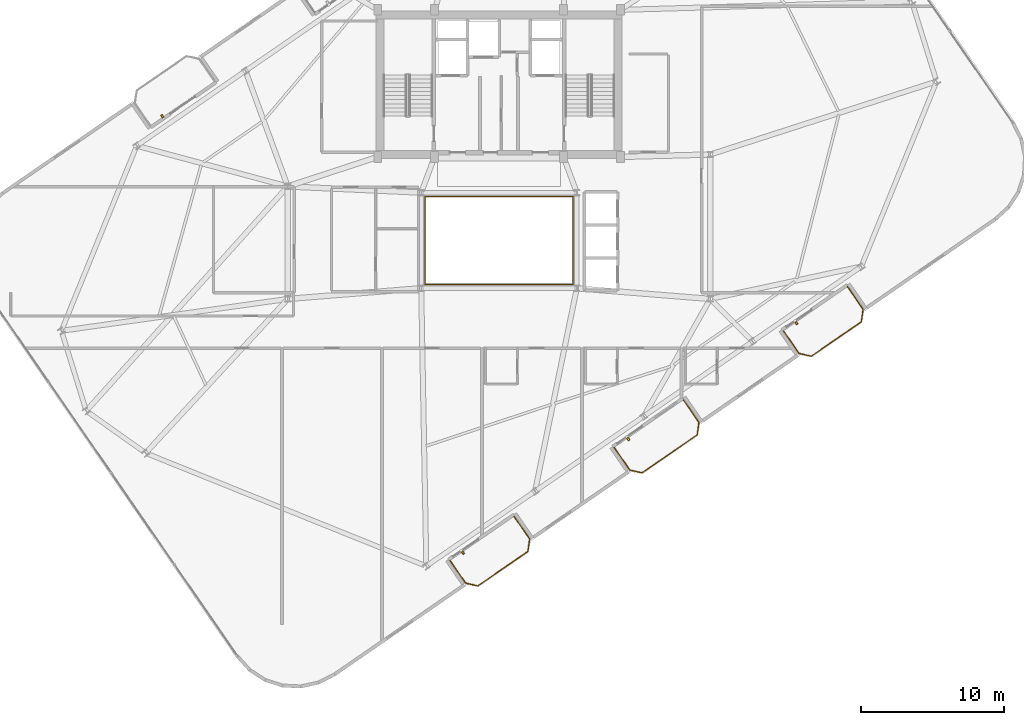
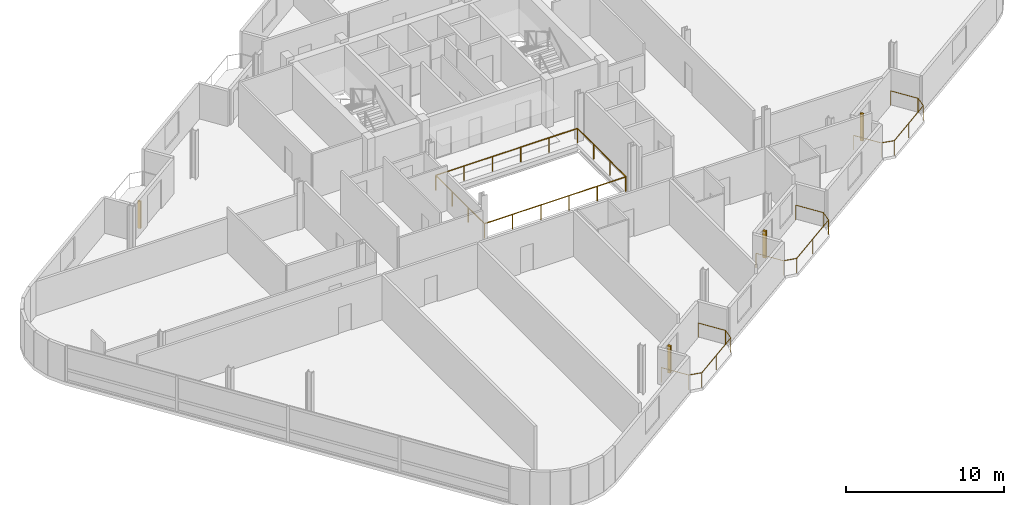
# One storey, part 19 of 21: 5 railings, 4 shading devices.
"""IFC4 building model written with IfcOpenShell, lengths in metres."""

from ifc_helpers import new_model, si_unit, direction, frame, origin, origin_2d, place, context, subcontext, project, spatial, rectangle, circle, extrude, source, transform, mapped, material, type_object, element, save


model = new_model("IFC4")

# Units and contexts
model_context = context("Model", 3, precision=1e-05, world=origin(), true_north=direction((0.0, 1.0)))
body_context = subcontext(model_context, "Body", "Model", "MODEL_VIEW")
ifc_project = project(units=[si_unit("LENGTHUNIT", "METRE"), si_unit("AREAUNIT", "SQUARE_METRE"), si_unit("VOLUMEUNIT", "CUBIC_METRE"), si_unit("PLANEANGLEUNIT", "RADIAN"), si_unit("MASSUNIT", "GRAM", prefix="KILO")], contexts=[model_context])

# Site, building, storey
site_placement = place(None, origin())
site = spatial("IfcSite", under=ifc_project, at=site_placement, CompositionType="ELEMENT")
building_placement = place(site_placement, origin())
building = spatial("IfcBuilding", under=site, at=building_placement, Name="Varnelok Gate Tower", CompositionType="ELEMENT")
storey_placement = place(building_placement, frame((0.0, 0.0, 261.89990234375)))
storey = spatial("IfcBuildingStorey", under=building, at=storey_placement, Name="L67", CompositionType="ELEMENT", Elevation=261.89990234375)

# Railings
ifc_material_1 = material(Name="Tempered Laminated Balustrade Glass", Category="glass")
railing_type_1 = type_object("IfcRailingType", Name="RL-ATR-GUARD1150", PredefinedType="GUARDRAIL", material=ifc_material_1)
railing_1_placement = place(storey_placement, frame((34.02001953125, 25.929931640625, 0.0)))
element("IfcRailing", 1, at=railing_1_placement, inside=storey, type_object=railing_type_1, Name="L67 Internal Atrium South-West Guardrail", PredefinedType="GUARDRAIL", context=body_context, shape_type="SweptSolid", body=[
    extrude(circle(Radius=0.02392578125, at=origin_2d()), frame((0.0, 0.0, 1.1259765625), z_axis=(0.0, -1.0, 0.0), x_axis=(1.0, 0.0, 0.0)), (0.0, 0.0, 1.0), 6.10986328125),
    extrude(circle(Radius=0.02392578125, at=origin_2d()), frame((0.0, -6.10986328125, 1.1259765625), z_axis=(1.0, 0.0, 0.0), x_axis=(0.0, 1.0, 0.0)), (0.0, 0.0, 1.0), 10.31005859375),
    extrude(circle(Radius=0.02099609375, at=origin_2d()), origin(), (0.0, 0.0, 1.0), 1.101806640625),
    extrude(circle(Radius=0.02099609375, at=origin_2d()), frame((0.0, -2.03662109375, 0.0)), (0.0, 0.0, 1.0), 1.101806640625),
    extrude(circle(Radius=0.02099609375, at=origin_2d()), frame((0.0, -4.0732421875, 0.0)), (0.0, 0.0, 1.0), 1.101806640625),
    extrude(circle(Radius=0.02099609375, at=origin_2d()), frame((0.0, -6.10986328125, 0.0)), (0.0, 0.0, 1.0), 1.101806640625),
    extrude(circle(Radius=0.02099609375, at=origin_2d()), frame((2.06201171875, -6.10986328125, 0.0)), (0.0, 0.0, 1.0), 1.101806640625),
    extrude(circle(Radius=0.02099609375, at=origin_2d()), frame((4.1240234375, -6.10986328125, 0.0)), (0.0, 0.0, 1.0), 1.101806640625),
    extrude(circle(Radius=0.02099609375, at=origin_2d()), frame((6.18603515625, -6.10986328125, 0.0)), (0.0, 0.0, 1.0), 1.101806640625),
    extrude(circle(Radius=0.02099609375, at=origin_2d()), frame((8.248046875, -6.10986328125, 0.0)), (0.0, 0.0, 1.0), 1.101806640625),
    extrude(circle(Radius=0.02099609375, at=origin_2d()), frame((10.31005859375, -6.10986328125, 0.0)), (0.0, 0.0, 1.0), 1.101806640625),
])
railing_2_placement = place(storey_placement, frame((44.3798828125, 19.820068359375, 0.0)))
element("IfcRailing", 2, at=railing_2_placement, inside=storey, type_object=railing_type_1, Name="L67 Internal Atrium North-East Guardrail", PredefinedType="GUARDRAIL", context=body_context, shape_type="SweptSolid", body=[
    extrude(circle(Radius=0.02392578125, at=origin_2d()), frame((0.0, 0.0, 1.1259765625), z_axis=(0.0, 1.0, 0.0), x_axis=(-1.0, 0.0, 0.0)), (0.0, 0.0, 1.0), 6.159912109375),
    extrude(circle(Radius=0.02392578125, at=origin_2d()), frame((0.0, 6.159912109375, 1.1259765625), z_axis=(-1.0, 0.0, 0.0), x_axis=(0.0, -1.0, 0.0)), (0.0, 0.0, 1.0), 10.35986328125),
    extrude(circle(Radius=0.02099609375, at=origin_2d()), origin(), (0.0, 0.0, 1.0), 1.101806640625),
    extrude(circle(Radius=0.02099609375, at=origin_2d()), frame((0.0, 2.05322265625, 0.0)), (0.0, 0.0, 1.0), 1.101806640625),
    extrude(circle(Radius=0.02099609375, at=origin_2d()), frame((0.0, 4.106689453125, 0.0)), (0.0, 0.0, 1.0), 1.101806640625),
    extrude(circle(Radius=0.02099609375, at=origin_2d()), frame((0.0, 6.159912109375, 0.0)), (0.0, 0.0, 1.0), 1.101806640625),
    extrude(circle(Radius=0.02099609375, at=origin_2d()), frame((-2.072021484375, 6.159912109375, 0.0)), (0.0, 0.0, 1.0), 1.101806640625),
    extrude(circle(Radius=0.02099609375, at=origin_2d()), frame((-4.14404296875, 6.159912109375, 0.0)), (0.0, 0.0, 1.0), 1.101806640625),
    extrude(circle(Radius=0.02099609375, at=origin_2d()), frame((-6.2158203125, 6.159912109375, 0.0)), (0.0, 0.0, 1.0), 1.101806640625),
    extrude(circle(Radius=0.02099609375, at=origin_2d()), frame((-8.287841796875, 6.159912109375, 0.0)), (0.0, 0.0, 1.0), 1.101806640625),
    extrude(circle(Radius=0.02099609375, at=origin_2d()), frame((-10.35986328125, 6.159912109375, 0.0)), (0.0, 0.0, 1.0), 1.101806640625),
])
ifc_material_2 = material(Name="Low-E Laminated Double Glazing IGU", Category="glass")
railing_type_2 = type_object("IfcRailingType", Name="RL-BALC-1150", PredefinedType="BALUSTRADE", material=ifc_material_2)
railing_3_placement = place(storey_placement, frame((35.77099609375, 0.473876953125, 0.0)))
element("IfcRailing", 3, at=railing_3_placement, inside=storey, type_object=railing_type_2, Name="L67 South Terrace Balustrade 1", PredefinedType="BALUSTRADE", context=body_context, shape_type="SweptSolid", body=[
    extrude(circle(Radius=0.02392578125, at=origin_2d()), frame((0.0, 0.0, 1.1259765625), z_axis=(0.567224752248, -0.823563039747, 0.0), x_axis=(0.823563039747, 0.567224752248, 0.0)), (0.0, 0.0, 1.0), 1.920166015625),
    extrude(circle(Radius=0.02392578125, at=origin_2d()), frame((1.089111328125, -1.581298828125, 1.1259765625), z_axis=(0.973526462254, -0.228574336467, 0.0), x_axis=(0.228574336467, 0.973526462254, 0.0)), (0.0, 0.0, 1.0), 0.8779296875),
    extrude(circle(Radius=0.02392578125, at=origin_2d()), frame((1.94384765625, -1.781982421875, 1.1259765625), z_axis=(0.823512353028, 0.5672983381, 0.0), x_axis=(-0.5672983381, 0.823512353028, 0.0)), (0.0, 0.0, 1.0), 4.26708984375),
    extrude(circle(Radius=0.02392578125, at=origin_2d()), frame((5.457763671875, 0.638671875, 1.1259765625), z_axis=(0.133475040405, 0.991052175008, 0.0), x_axis=(-0.991052175008, 0.133475040405, 0.0)), (0.0, 0.0, 1.0), 0.8779296875),
    extrude(circle(Radius=0.02392578125, at=origin_2d()), frame((5.574951171875, 1.5087890625, 1.1259765625), z_axis=(-0.567284155424, 0.82352212296, 0.0), x_axis=(-0.82352212296, -0.567284155424, 0.0)), (0.0, 0.0, 1.0), 1.919921875),
    extrude(circle(Radius=0.02099609375, at=origin_2d()), origin(), (0.0, 0.0, 1.0), 1.101806640625),
    extrude(circle(Radius=0.02099609375, at=origin_2d()), frame((1.089111328125, -1.581298828125, 0.0)), (0.0, 0.0, 1.0), 1.101806640625),
    extrude(circle(Radius=0.02099609375, at=origin_2d()), frame((1.94384765625, -1.781982421875, 0.0)), (0.0, 0.0, 1.0), 1.101806640625),
    extrude(circle(Radius=0.02099609375, at=origin_2d()), frame((3.70068359375, -0.57177734375, 0.0)), (0.0, 0.0, 1.0), 1.101806640625),
    extrude(circle(Radius=0.02099609375, at=origin_2d()), frame((5.457763671875, 0.638671875, 0.0)), (0.0, 0.0, 1.0), 1.101806640625),
    extrude(circle(Radius=0.02099609375, at=origin_2d()), frame((5.574951171875, 1.5087890625, 0.0)), (0.0, 0.0, 1.0), 1.101806640625),
    extrude(circle(Radius=0.02099609375, at=origin_2d()), frame((4.48583984375, 3.08984375, 0.0)), (0.0, 0.0, 1.0), 1.101806640625),
])
railing_4_placement = place(storey_placement, frame((47.273193359375, 8.39697265625, 0.0)))
element("IfcRailing", 4, at=railing_4_placement, inside=storey, type_object=railing_type_2, Name="L67 South Terrace Balustrade 2", PredefinedType="BALUSTRADE", context=body_context, shape_type="SweptSolid", body=[
    extrude(circle(Radius=0.02392578125, at=origin_2d()), frame((0.0, 0.0, 1.1259765625), z_axis=(0.567224752248, -0.823563039747, 0.0), x_axis=(0.823563039747, 0.567224752248, 0.0)), (0.0, 0.0, 1.0), 1.920166015625),
    extrude(circle(Radius=0.02392578125, at=origin_2d()), frame((1.089111328125, -1.581298828125, 1.1259765625), z_axis=(0.973526462254, -0.228574336467, 0.0), x_axis=(0.228574336467, 0.973526462254, 0.0)), (0.0, 0.0, 1.0), 0.8779296875),
    extrude(circle(Radius=0.02392578125, at=origin_2d()), frame((1.94384765625, -1.781982421875, 1.1259765625), z_axis=(0.823523239622, 0.567282534371, 0.0), x_axis=(-0.567282534371, 0.823523239622, 0.0)), (0.0, 0.0, 1.0), 4.699951171875),
    extrude(circle(Radius=0.02392578125, at=origin_2d()), frame((5.814453125, 0.88427734375, 1.1259765625), z_axis=(0.133511834152, 0.991047218926, 0.0), x_axis=(-0.991047218926, 0.133511834152, 0.0)), (0.0, 0.0, 1.0), 0.877685546875),
    extrude(circle(Radius=0.02392578125, at=origin_2d()), frame((5.931640625, 1.754150390625, 1.1259765625), z_axis=(-0.567224752248, 0.823563039747, 0.0), x_axis=(-0.823563039747, -0.567224752248, 0.0)), (0.0, 0.0, 1.0), 1.920166015625),
    extrude(circle(Radius=0.02099609375, at=origin_2d()), origin(), (0.0, 0.0, 1.0), 1.101806640625),
    extrude(circle(Radius=0.02099609375, at=origin_2d()), frame((1.089111328125, -1.581298828125, 0.0)), (0.0, 0.0, 1.0), 1.101806640625),
    extrude(circle(Radius=0.02099609375, at=origin_2d()), frame((1.94384765625, -1.781982421875, 0.0)), (0.0, 0.0, 1.0), 1.101806640625),
    extrude(circle(Radius=0.02099609375, at=origin_2d()), frame((3.879150390625, -0.44873046875, 0.0)), (0.0, 0.0, 1.0), 1.101806640625),
    extrude(circle(Radius=0.02099609375, at=origin_2d()), frame((5.814453125, 0.88427734375, 0.0)), (0.0, 0.0, 1.0), 1.101806640625),
    extrude(circle(Radius=0.02099609375, at=origin_2d()), frame((5.931640625, 1.754150390625, 0.0)), (0.0, 0.0, 1.0), 1.101806640625),
    extrude(circle(Radius=0.02099609375, at=origin_2d()), frame((4.842529296875, 3.33544921875, 0.0)), (0.0, 0.0, 1.0), 1.101806640625),
])
railing_5_placement = place(storey_placement, frame((59.132080078125, 16.5654296875, 0.0)))
element("IfcRailing", 5, at=railing_5_placement, inside=storey, type_object=railing_type_2, Name="L67 South Terrace Balustrade 3", PredefinedType="BALUSTRADE", context=body_context, shape_type="SweptSolid", body=[
    extrude(circle(Radius=0.02392578125, at=origin_2d()), frame((0.0, 0.0, 1.1259765625), z_axis=(0.567284155424, -0.82352212296, 0.0), x_axis=(0.82352212296, 0.567284155424, 0.0)), (0.0, 0.0, 1.0), 1.919921875),
    extrude(circle(Radius=0.02392578125, at=origin_2d()), frame((1.089111328125, -1.5810546875, 1.1259765625), z_axis=(0.973526462254, -0.228574336467, 0.0), x_axis=(0.228574336467, 0.973526462254, 0.0)), (0.0, 0.0, 1.0), 0.8779296875),
    extrude(circle(Radius=0.02392578125, at=origin_2d()), frame((1.94384765625, -1.78173828125, 1.1259765625), z_axis=(0.823512353028, 0.5672983381, 0.0), x_axis=(-0.5672983381, 0.823512353028, 0.0)), (0.0, 0.0, 1.0), 4.26708984375),
    extrude(circle(Radius=0.02392578125, at=origin_2d()), frame((5.457763671875, 0.638916015625, 1.1259765625), z_axis=(0.133511834152, 0.991047218926, 0.0), x_axis=(-0.991047218926, 0.133511834152, 0.0)), (0.0, 0.0, 1.0), 0.877685546875),
    extrude(circle(Radius=0.02392578125, at=origin_2d()), frame((5.574951171875, 1.5087890625, 1.1259765625), z_axis=(-0.567224752248, 0.823563039747, 0.0), x_axis=(-0.823563039747, -0.567224752248, 0.0)), (0.0, 0.0, 1.0), 1.920166015625),
    extrude(circle(Radius=0.02099609375, at=origin_2d()), origin(), (0.0, 0.0, 1.0), 1.101806640625),
    extrude(circle(Radius=0.02099609375, at=origin_2d()), frame((1.089111328125, -1.5810546875, 0.0)), (0.0, 0.0, 1.0), 1.101806640625),
    extrude(circle(Radius=0.02099609375, at=origin_2d()), frame((1.94384765625, -1.78173828125, 0.0)), (0.0, 0.0, 1.0), 1.101806640625),
    extrude(circle(Radius=0.02099609375, at=origin_2d()), frame((3.70068359375, -0.5712890625, 0.0)), (0.0, 0.0, 1.0), 1.101806640625),
    extrude(circle(Radius=0.02099609375, at=origin_2d()), frame((5.457763671875, 0.638916015625, 0.0)), (0.0, 0.0, 1.0), 1.101806640625),
    extrude(circle(Radius=0.02099609375, at=origin_2d()), frame((5.574951171875, 1.5087890625, 0.0)), (0.0, 0.0, 1.0), 1.101806640625),
    extrude(circle(Radius=0.02099609375, at=origin_2d()), frame((4.48583984375, 3.090087890625, 0.0)), (0.0, 0.0, 1.0), 1.101806640625),
])

# Shading devices
ifc_material_3 = material(Name="Glazed Architectural Terracotta Ceramic", Category="masonry")
shading_device_type = type_object("IfcShadingDeviceType", Name="SHD-TERRA-FIN", PredefinedType="USERDEFINED", material=ifc_material_3)
shared_shape = source(origin(), body_context, "Body", "SweptSolid", [
    extrude(rectangle(XDim=0.139892578125, YDim=0.219970703125, at=origin_2d()), origin(), (0.0, 0.0, 1.0), 2.10009765625),
])
for number, where, z_axis, x_axis, name in (
    (6, (36.67822265625, 1.013671875, 0.10009765625), (0.0, 0.0, 1.0), (0.823532597628, 0.567268949127, 0.0), "L67 Terracotta Ceramic Baguette Sunscreen 1.1"),
    (7, (48.251708984375, 8.98583984375, 0.10009765625), (0.0, 0.0, 1.0), (0.823532597628, 0.567268949127, 0.0), "L67 Terracotta Ceramic Baguette Sunscreen 2.1"),
    (8, (60.039306640625, 17.10546875, 0.10009765625), (0.0, 0.0, 1.0), (0.823532597628, 0.567268949127, 0.0), "L67 Terracotta Ceramic Baguette Sunscreen 3.1"),
    (9, (15.60986328125, 31.599609375, 0.10009765625), (0.0, 0.0, 1.0), (0.823532597628, 0.567268949127, 0.0), "L67 Terracotta Ceramic Baguette Sunscreen 4.1"),
):
    element("IfcShadingDevice", number, at=place(storey_placement, frame(where, z_axis=z_axis, x_axis=x_axis)), inside=storey, type_object=shading_device_type, Name=name, ObjectType="BAGUETTE", PredefinedType="USERDEFINED", context=body_context, shape_type="MappedRepresentation", body=[
        mapped(shared_shape, transform((0.0, 0.0, 0.0), scale=1.0)),
    ])

save(model, "model.ifc")
